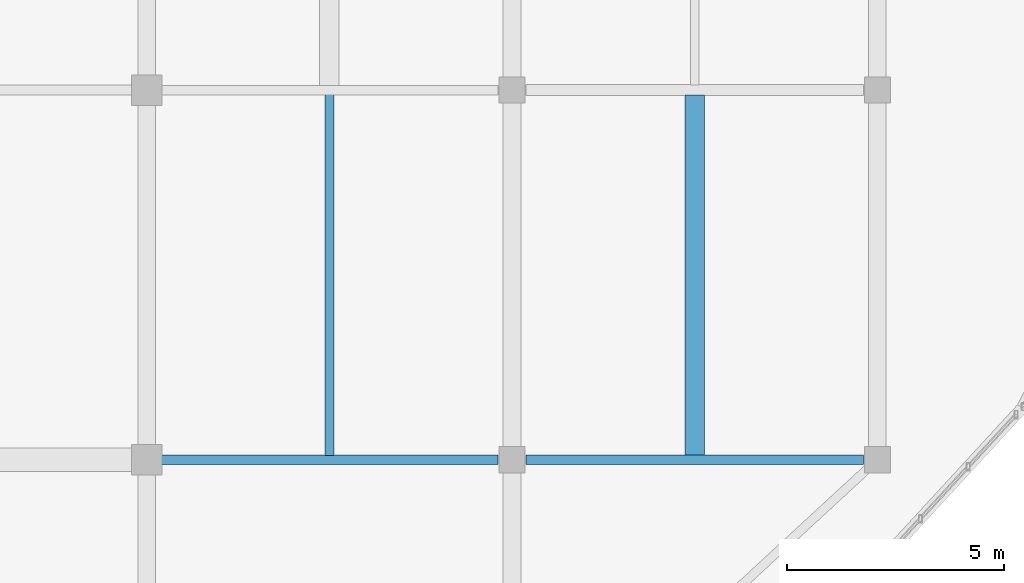
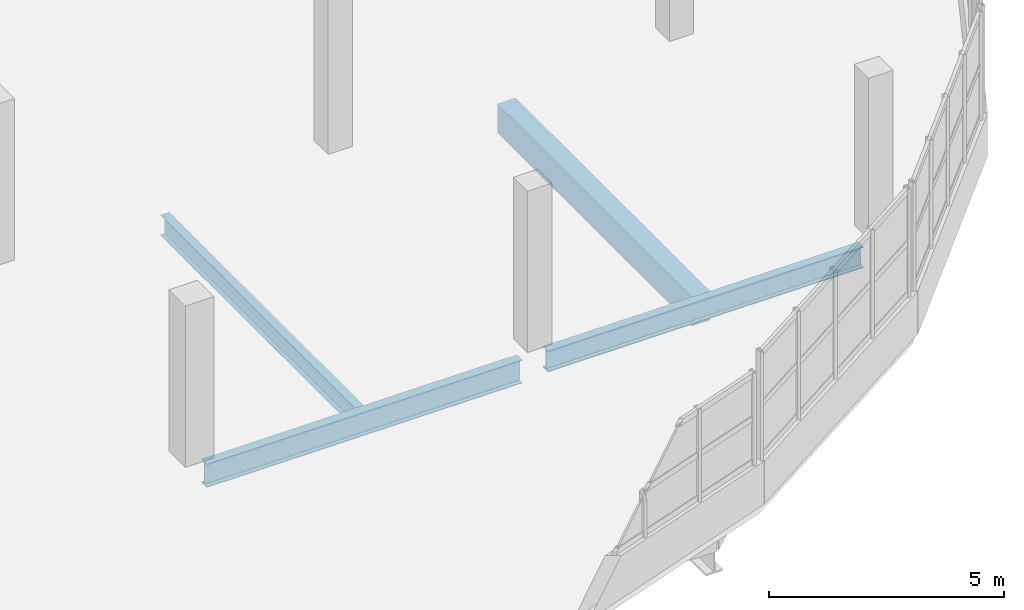
# One storey, part 20 of 52: 4 beams.
"""IFC4 building model written with IfcOpenShell, lengths in metres."""

from ifc_helpers import new_model, si_unit, direction, frame, origin, origin_2d, place, context, subcontext, project, spatial, rectangle, i_section, extrude, material, material_profile, profile_set, type_object, element, save


model = new_model("IFC4")

# Units and contexts
model_context = context("Model", 3, precision=1e-05, world=origin(), true_north=direction((0.0, 1.0)))
body_context = subcontext(model_context, "Body", "Model", "MODEL_VIEW")
ifc_project = project(units=[si_unit("LENGTHUNIT", "METRE"), si_unit("AREAUNIT", "SQUARE_METRE"), si_unit("VOLUMEUNIT", "CUBIC_METRE"), si_unit("PLANEANGLEUNIT", "RADIAN"), si_unit("MASSUNIT", "GRAM", prefix="KILO")], contexts=[model_context])

# Site, building, storey
site_placement = place(None, origin())
site = spatial("IfcSite", under=ifc_project, at=site_placement, CompositionType="ELEMENT")
building_placement = place(site_placement, origin())
building = spatial("IfcBuilding", under=site, at=building_placement, Name="Solvento Point Concert Hall", CompositionType="ELEMENT")
storey_placement = place(building_placement, frame((0.0, 0.0, 19.5)))
storey = spatial("IfcBuildingStorey", under=building, at=storey_placement, Name="L04", CompositionType="ELEMENT", Elevation=19.5)

# Beams
ifc_material_1 = material(Name="Concrete C35/45", Category="concrete")
ifc_material_profile_1 = material_profile(ifc_material_1, rectangle(XDim=0.449951171875, YDim=0.75, at=origin_2d()), Name="RC-BM-450X750")
ifc_profile_set_1 = profile_set([ifc_material_profile_1], Name="Concrete C35/45")
beam_type_1 = type_object("IfcBeamType", Name="Beam_RC_450x750", PredefinedType="BEAM", material=ifc_profile_set_1)
beam_1_placement = place(storey_placement, frame((78.60009765625, 17.092041015625, -0.6689453125), z_axis=(0.0, 1.0, 0.0), x_axis=(-1.0, 0.0, 0.0)))
element("IfcBeam", 1, at=beam_1_placement, inside=storey, type_object=beam_type_1, Name="Secondary floor joist B-28 L04", PredefinedType="BEAM", context=body_context, shape_type="SweptSolid", body=[
    extrude(rectangle(XDim=0.449951171875, YDim=0.75, at=origin_2d()), origin(), (0.0, 0.0, 1.0), 8.294921875),
])
ifc_material_2 = material(Name="Structural Steel ASTM A992 Grade 50", Category="steel")
ifc_material_profile_2 = material_profile(ifc_material_2, i_section(OverallWidth=0.20947265625, OverallDepth=0.532958984375, WebThickness=0.01025390625, FlangeThickness=0.015625, at=origin_2d()), Name="W21X62")
ifc_profile_set_2 = profile_set([ifc_material_profile_2], Name="Structural Steel ASTM A992 Grade 50")
beam_type_2 = type_object("IfcBeamType", Name="Beam_W21X62", PredefinedType="BEAM", material=ifc_profile_set_2)
beam_2_placement = place(storey_placement, frame((70.199951171875, 17.09912109375, -0.560546875), z_axis=(0.0, 1.0, 0.0), x_axis=(-1.0, 0.0, 0.0)))
element("IfcBeam", 2, at=beam_2_placement, inside=storey, type_object=beam_type_2, Name="Secondary floor joist B-25 L04", PredefinedType="BEAM", context=body_context, shape_type="SweptSolid", body=[
    extrude(i_section(OverallWidth=0.20947265625, OverallDepth=0.532958984375, WebThickness=0.01025390625, FlangeThickness=0.015625, at=origin_2d()), origin(), (0.0, 0.0, 1.0), 8.308837890625),
])
ifc_material_3 = material(Name="Structural Steel ASTM A992 Grade 50", Category="steel")
ifc_material_profile_3 = material_profile(ifc_material_3, i_section(OverallWidth=0.214111328125, OverallDepth=0.549072265625, WebThickness=0.0146484375, FlangeThickness=0.023681640625, at=origin_2d()), Name="W21X93")
ifc_profile_set_3 = profile_set([ifc_material_profile_3], Name="Structural Steel ASTM A992 Grade 50")
beam_type_3 = type_object("IfcBeamType", Name="Beam_W21X93", PredefinedType="BEAM", material=ifc_profile_set_3)
beam_3_placement = place(storey_placement, frame((74.718994140625, 17.0, -0.568603515625), z_axis=(1.0, 0.0, 0.0), x_axis=(0.0, 1.0, 0.0)))
element("IfcBeam", 3, at=beam_3_placement, inside=storey, type_object=beam_type_3, Name="Primary girder B-48 L04", PredefinedType="BEAM", context=body_context, shape_type="SweptSolid", body=[
    extrude(i_section(OverallWidth=0.214111328125, OverallDepth=0.549072265625, WebThickness=0.0146484375, FlangeThickness=0.023681640625, at=origin_2d()), origin(), (0.0, 0.0, 1.0), 7.761962890625),
])
ifc_material_4 = material(Name="Structural Steel ASTM A992 Grade 50", Category="steel")
ifc_material_profile_4 = material_profile(ifc_material_4, i_section(OverallWidth=0.228515625, OverallDepth=0.60791015625, WebThickness=0.01123046875, FlangeThickness=0.017333984375, at=origin_2d()), Name="W24X76")
ifc_profile_set_4 = profile_set([ifc_material_profile_4], Name="Structural Steel ASTM A992 Grade 50")
beam_type_4 = type_object("IfcBeamType", Name="Beam_W24X76", PredefinedType="BEAM", material=ifc_profile_set_4)
beam_4_placement = place(storey_placement, frame((66.319091796875, 17.0, -0.597900390625), z_axis=(1.0, 0.0, 0.0), x_axis=(0.0, 1.0, 0.0)))
element("IfcBeam", 4, at=beam_4_placement, inside=storey, type_object=beam_type_4, Name="Primary girder B-42 L04", PredefinedType="BEAM", context=body_context, shape_type="SweptSolid", body=[
    extrude(i_section(OverallWidth=0.228515625, OverallDepth=0.60791015625, WebThickness=0.01123046875, FlangeThickness=0.017333984375, at=origin_2d()), origin(), (0.0, 0.0, 1.0), 7.761962890625),
])

save(model, "model.ifc")
